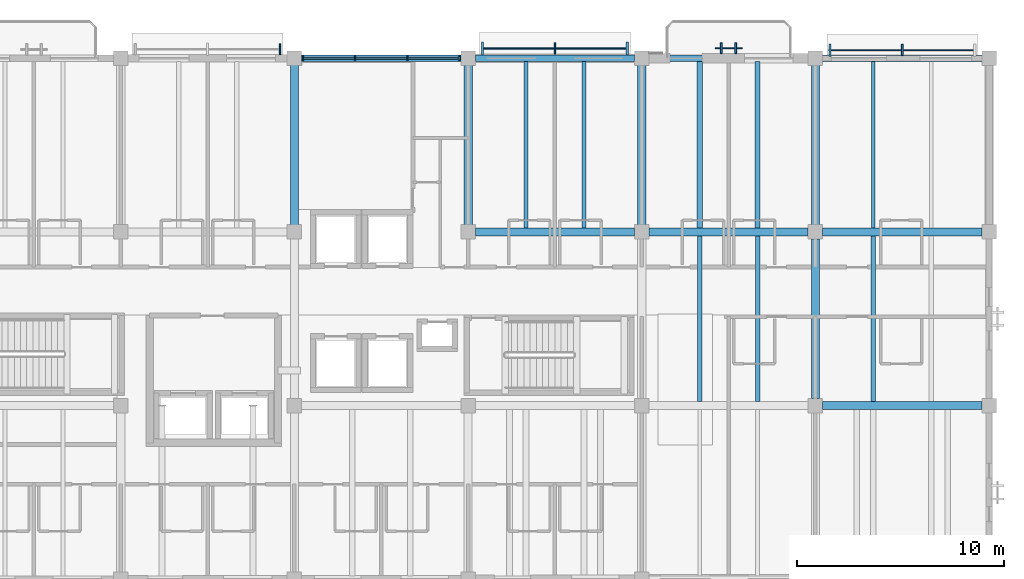
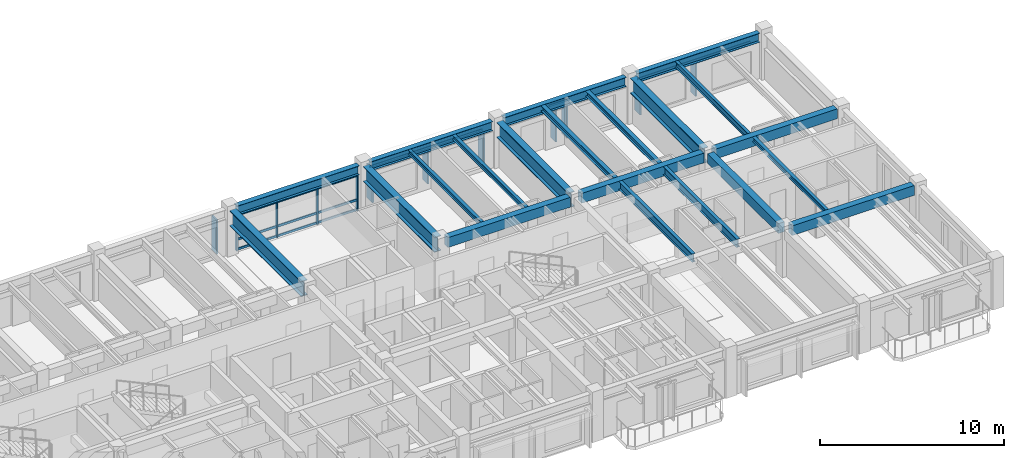
# One storey, part 3 of 18: 24 members, 21 beams, 5 elements without a shape of their own.
"""IFC4 building model written with IfcOpenShell, lengths in metres."""

from ifc_helpers import new_model, si_unit, direction, frame, origin, origin_2d, place, context, subcontext, project, spatial, rectangle, i_section, extrude, material, material_profile, profile_set, type_object, element, aggregate, save


model = new_model("IFC4")

# Units and contexts
model_context = context("Model", 3, precision=1e-05, world=origin(), true_north=direction((0.0, 1.0)))
body_context = subcontext(model_context, "Body", "Model", "MODEL_VIEW")
ifc_project = project(units=[si_unit("LENGTHUNIT", "METRE"), si_unit("AREAUNIT", "SQUARE_METRE"), si_unit("VOLUMEUNIT", "CUBIC_METRE"), si_unit("PLANEANGLEUNIT", "RADIAN"), si_unit("MASSUNIT", "GRAM", prefix="KILO")], contexts=[model_context])

# Site, building, storey
site_placement = place(None, origin())
site = spatial("IfcSite", under=ifc_project, at=site_placement, CompositionType="ELEMENT")
building_placement = place(site_placement, origin())
building = spatial("IfcBuilding", under=site, at=building_placement, Name="Cumbredor Promenade Congress Hotel", CompositionType="ELEMENT")
storey_placement = place(building_placement, frame((0.0, 0.0, 25.199951171875)))
storey = spatial("IfcBuildingStorey", under=building, at=storey_placement, Name="L07", CompositionType="ELEMENT", Elevation=25.199951171875)

# Beams
ifc_material_1 = material(Name="Concrete C40/50", Category="concrete")
ifc_material_profile_1 = material_profile(ifc_material_1, rectangle(XDim=0.39990234375, YDim=0.64990234375, at=origin_2d()), Name="RC BEAM 400x650")
ifc_profile_set_1 = profile_set([ifc_material_profile_1], Name="Concrete C40/50")
beam_type_1 = type_object("IfcBeamType", Name="BM-RC-400x650", PredefinedType="BEAM", material=ifc_profile_set_1)
for number, where, z_axis, x_axis, name in (
    (1, (42.35009765625, 109.199951171875, 2.795166015625), (1.0, 0.0, 0.0), (0.0, 1.0, 0.0), "L08 X-Grid Beam 030"),
    (2, (50.75, 109.199951171875, 2.795166015625), (1.0, 0.0, 0.0), (0.0, 1.0, 0.0), "L08 X-Grid Beam 036"),
):
    element("IfcBeam", number, at=place(storey_placement, frame(where, z_axis=z_axis, x_axis=x_axis)), inside=storey, type_object=beam_type_1, Name=name, PredefinedType="BEAM", context=body_context, shape_type="SweptSolid", body=[
        extrude(rectangle(XDim=0.39990234375, YDim=0.64990234375, at=origin_2d()), origin(), (0.0, 0.0, 1.0), 7.699951171875),
    ])
for number, where, z_axis, x_axis, name in (
    (3, (59.14990234375, 100.800048828125, 2.795166015625), (1.0, 0.0, 0.0), (0.0, 1.0, 0.0), "L08 X-Grid Beam 040"),
    (4, (58.800048828125, 101.14990234375, 2.795166015625), (0.0, 1.0, 0.0), (-1.0, 0.0, 0.0), "L08 Y-Grid Beam 041"),
    (5, (59.14990234375, 109.199951171875, 2.795166015625), (1.0, 0.0, 0.0), (0.0, 1.0, 0.0), "L08 X-Grid Beam 042"),
):
    element("IfcBeam", number, at=place(storey_placement, frame(where, z_axis=z_axis, x_axis=x_axis)), inside=storey, type_object=beam_type_1, Name=name, PredefinedType="BEAM", context=body_context, shape_type="SweptSolid", body=[
        extrude(rectangle(XDim=0.39990234375, YDim=0.64990234375, at=origin_2d()), origin(), (0.0, 0.0, 1.0), 7.7001953125),
    ])
ifc_material_2 = material(Name="Steel ASTM A992 Grade 50", Category="steel")
ifc_material_profile_2 = material_profile(ifc_material_2, i_section(OverallWidth=0.323974609375, OverallDepth=0.611083984375, WebThickness=0.0126953125, FlangeThickness=0.01904296875, at=origin_2d()), Name="W24X104")
ifc_profile_set_2 = profile_set([ifc_material_profile_2], Name="Steel ASTM A992 Grade 50")
beam_type_2 = type_object("IfcBeamType", Name="BM-W24X104", PredefinedType="BEAM", material=ifc_profile_set_2)
for number, where, z_axis, x_axis, name in (
    (6, (33.949951171875, 117.60009765625, 2.734619140625), (1.0, 0.0, 0.0), (0.0, 1.0, 0.0), "L08 X-Grid Beam 026"),
    (7, (42.35009765625, 117.60009765625, 2.734619140625), (1.0, 0.0, 0.0), (0.0, 1.0, 0.0), "L08 X-Grid Beam 031"),
    (8, (50.75, 117.60009765625, 2.734619140625), (1.0, 0.0, 0.0), (0.0, 1.0, 0.0), "L08 X-Grid Beam 037"),
):
    element("IfcBeam", number, at=place(storey_placement, frame(where, z_axis=z_axis, x_axis=x_axis)), inside=storey, type_object=beam_type_2, Name=name, PredefinedType="BEAM", context=body_context, shape_type="SweptSolid", body=[
        extrude(i_section(OverallWidth=0.323974609375, OverallDepth=0.611083984375, WebThickness=0.0126953125, FlangeThickness=0.01904296875, at=origin_2d()), origin(), (0.0, 0.0, 1.0), 7.699951171875),
    ])
beam_1_placement = place(storey_placement, frame((59.14990234375, 117.60009765625, 2.734619140625), z_axis=(1.0, 0.0, 0.0), x_axis=(0.0, 1.0, 0.0)))
element("IfcBeam", 9, at=beam_1_placement, inside=storey, type_object=beam_type_2, Name="L08 X-Grid Beam 043", PredefinedType="BEAM", context=body_context, shape_type="SweptSolid", body=[
    extrude(i_section(OverallWidth=0.323974609375, OverallDepth=0.611083984375, WebThickness=0.0126953125, FlangeThickness=0.01904296875, at=origin_2d()), origin(), (0.0, 0.0, 1.0), 7.7001953125),
])
ifc_material_profile_3 = material_profile(ifc_material_2, i_section(OverallWidth=0.402099609375, OverallDepth=1.011962890625, WebThickness=0.023681640625, FlangeThickness=0.0419921875, at=origin_2d()), Name="W40X297")
ifc_profile_set_3 = profile_set([ifc_material_profile_3], Name="Steel ASTM A992 Grade 50")
beam_type_3 = type_object("IfcBeamType", Name="BM-W40X297", PredefinedType="BEAM", material=ifc_profile_set_3)
for number, where, z_axis, x_axis, name in (
    (10, (33.60009765625, 109.5, 2.533935546875), (0.0, 1.0, 0.0), (-1.0, 0.0, 0.0), "L08 North Setback Transfer Girder TGN-04"),
    (11, (42.0, 109.5, 2.533935546875), (0.0, 1.0, 0.0), (-1.0, 0.0, 0.0), "L08 North Setback Transfer Girder TGN-05"),
    (12, (50.39990234375, 109.5, 2.533935546875), (0.0, 1.0, 0.0), (-1.0, 0.0, 0.0), "L08 North Setback Transfer Girder TGN-06"),
    (13, (58.800048828125, 109.5, 2.533935546875), (0.0, 1.0, 0.0), (-1.0, 0.0, 0.0), "L08 North Setback Transfer Girder TGN-07"),
):
    element("IfcBeam", number, at=place(storey_placement, frame(where, z_axis=z_axis, x_axis=x_axis)), inside=storey, type_object=beam_type_3, Name=name, PredefinedType="BEAM", context=body_context, shape_type="SweptSolid", body=[
        extrude(i_section(OverallWidth=0.402099609375, OverallDepth=1.011962890625, WebThickness=0.023681640625, FlangeThickness=0.0419921875, at=origin_2d()), origin(), (0.0, 0.0, 1.0), 7.800048828125),
    ])

# Curtain wall, members
ifc_material_3 = material(Name="Thermally broken anodized aluminium and low-E glass", Category="aluminium")
curtain_wall_type_1 = type_object("IfcCurtainWallType", Name="Unitised Bronze Curtain Wall CW-01", PredefinedType="NOTDEFINED", material=ifc_material_3)
curtain_wall_1_placement = place(storey_placement, origin())
curtain_wall_1 = element("IfcCurtainWall", 14, at=curtain_wall_1_placement, inside=storey, type_object=curtain_wall_type_1, Name="L07 Stepped Congress Hotel Wing North Curtain Wall 5", PredefinedType="NOTDEFINED")
ifc_material_4 = material(Name="Thermally broken anodized aluminium", Category="aluminium")
ifc_material_profile_4 = material_profile(ifc_material_4, rectangle(XDim=0.074951171875, YDim=0.199951171875, at=origin_2d()), Name="ALU MULLION 75x200")
ifc_profile_set_4 = profile_set([ifc_material_profile_4], Name="Thermally broken anodized aluminium")
member_type_1 = type_object("IfcMemberType", Name="Curtain Wall Mullion ML-02", PredefinedType="MULLION", material=ifc_profile_set_4)
member_1_placement = place(storey_placement, frame((34.0048828125, 117.60009765625, -0.008056640625), z_axis=(0.0, 0.0, 1.0), x_axis=(1.0, 0.0, 0.0)))
member_1 = element("IfcMember", 15, at=member_1_placement, type_object=member_type_1, Name="L07 Stepped Congress Hotel Wing North Curtain Wall 5 Mullion 1", PredefinedType="MULLION", context=body_context, shape_type="SweptSolid", body=[
    extrude(rectangle(XDim=0.074951171875, YDim=0.199951171875, at=origin_2d()), origin(), (0.0, 0.0, 1.0), 2.43017578125),
])
member_2_placement = place(storey_placement, frame((36.534912109375, 117.60009765625, -0.008056640625), z_axis=(0.0, 0.0, 1.0), x_axis=(1.0, 0.0, 0.0)))
member_2 = element("IfcMember", 16, at=member_2_placement, type_object=member_type_1, Name="L07 Stepped Congress Hotel Wing North Curtain Wall 5 Mullion 2", PredefinedType="MULLION", context=body_context, shape_type="SweptSolid", body=[
    extrude(rectangle(XDim=0.074951171875, YDim=0.199951171875, at=origin_2d()), origin(), (0.0, 0.0, 1.0), 2.43017578125),
])
member_3_placement = place(storey_placement, frame((39.06494140625, 117.60009765625, -0.008056640625), z_axis=(0.0, 0.0, 1.0), x_axis=(1.0, 0.0, 0.0)))
member_3 = element("IfcMember", 17, at=member_3_placement, type_object=member_type_1, Name="L07 Stepped Congress Hotel Wing North Curtain Wall 5 Mullion 3", PredefinedType="MULLION", context=body_context, shape_type="SweptSolid", body=[
    extrude(rectangle(XDim=0.074951171875, YDim=0.199951171875, at=origin_2d()), origin(), (0.0, 0.0, 1.0), 2.43017578125),
])
member_4_placement = place(storey_placement, frame((41.594970703125, 117.60009765625, -0.008056640625), z_axis=(0.0, 0.0, 1.0), x_axis=(1.0, 0.0, 0.0)))
member_4 = element("IfcMember", 18, at=member_4_placement, type_object=member_type_1, Name="L07 Stepped Congress Hotel Wing North Curtain Wall 5 Mullion 4", PredefinedType="MULLION", context=body_context, shape_type="SweptSolid", body=[
    extrude(rectangle(XDim=0.074951171875, YDim=0.199951171875, at=origin_2d()), origin(), (0.0, 0.0, 1.0), 2.43017578125),
])

# Curtain wall, member
curtain_wall_type_2 = type_object("IfcCurtainWallType", Name="Solar Brise-Soleil Screen Assembly CW-07", PredefinedType="NOTDEFINED", material=ifc_material_3)
curtain_wall_2_placement = place(storey_placement, origin())
curtain_wall_2 = element("IfcCurtainWall", 19, at=curtain_wall_2_placement, inside=storey, type_object=curtain_wall_type_2, Name="L07 Hospitality Brise-Soleil Screen 101", PredefinedType="NOTDEFINED")
ifc_material_profile_5 = material_profile(ifc_material_4, rectangle(XDim=0.06494140625, YDim=0.1298828125, at=origin_2d()), Name="ALU TRANSOM 65x130")
ifc_profile_set_5 = profile_set([ifc_material_profile_5], Name="Thermally broken anodized aluminium")
member_type_2 = type_object("IfcMemberType", Name="Curtain Wall Transom TR-01", PredefinedType="USERDEFINED", material=ifc_profile_set_5)
member_5_placement = place(storey_placement, frame((42.65087890625, 118.072509765625, 2.234130859375), z_axis=(1.0, 0.0, 0.0), x_axis=(0.0, 1.0, 0.0)))
member_5 = element("IfcMember", 20, at=member_5_placement, type_object=member_type_2, Name="L07 Brise-Soleil Screen Transom 101", ObjectType="TRANSOM", PredefinedType="USERDEFINED", context=body_context, shape_type="SweptSolid", body=[
    extrude(rectangle(XDim=0.06494140625, YDim=0.1298828125, at=origin_2d()), origin(), (0.0, 0.0, 1.0), 7.09814453125),
])

curtain_wall_3_placement = place(storey_placement, origin())
curtain_wall_3 = element("IfcCurtainWall", 21, at=curtain_wall_3_placement, inside=storey, type_object=curtain_wall_type_2, Name="L07 Veranda Solar Brise-Soleil Screen 1021", PredefinedType="NOTDEFINED")
member_6_placement = place(storey_placement, frame((53.949951171875, 118.0849609375, 2.333984375), z_axis=(1.0, 0.0, 0.0), x_axis=(0.0, 1.0, 0.0)))
member_6 = element("IfcMember", 22, at=member_6_placement, type_object=member_type_2, Name="L07 Brise-Soleil Header Tie 1023", ObjectType="TRANSOM", PredefinedType="USERDEFINED", context=body_context, shape_type="SweptSolid", body=[
    extrude(rectangle(XDim=0.06494140625, YDim=0.1298828125, at=origin_2d()), origin(), (0.0, 0.0, 1.0), 1.300048828125),
])

curtain_wall_4_placement = place(storey_placement, origin())
curtain_wall_4 = element("IfcCurtainWall", 23, at=curtain_wall_4_placement, inside=storey, type_object=curtain_wall_type_2, Name="L07 Hospitality Brise-Soleil Screen 102", PredefinedType="NOTDEFINED")
member_7_placement = place(storey_placement, frame((59.450927734375, 117.989990234375, 2.234130859375), z_axis=(1.0, 0.0, 0.0), x_axis=(0.0, 1.0, 0.0)))
member_7 = element("IfcMember", 24, at=member_7_placement, type_object=member_type_2, Name="L07 Brise-Soleil Screen Transom 102", ObjectType="TRANSOM", PredefinedType="USERDEFINED", context=body_context, shape_type="SweptSolid", body=[
    extrude(rectangle(XDim=0.06494140625, YDim=0.1298828125, at=origin_2d()), origin(), (0.0, 0.0, 1.0), 7.09814453125),
])

# Member
ifc_material_profile_6 = material_profile(ifc_material_4, rectangle(XDim=0.074951171875, YDim=0.14990234375, at=origin_2d()), Name="ALU TRANSOM 75x150")
ifc_profile_set_6 = profile_set([ifc_material_profile_6], Name="Thermally broken anodized aluminium")
member_type_3 = type_object("IfcMemberType", Name="Curtain Wall Transom TR-02", PredefinedType="USERDEFINED", material=ifc_profile_set_6)
member_8_placement = place(storey_placement, frame((34.04248046875, 117.60009765625, 0.070068359375), z_axis=(1.0, 0.0, 0.0), x_axis=(0.0, 1.0, 0.0)))
member_8 = element("IfcMember", 25, at=member_8_placement, type_object=member_type_3, Name="L07 Stepped Congress Hotel Wing North Curtain Wall 5 Transom 1.1", ObjectType="TRANSOM", PredefinedType="USERDEFINED", context=body_context, shape_type="SweptSolid", body=[
    extrude(rectangle(XDim=0.074951171875, YDim=0.14990234375, at=origin_2d()), origin(), (0.0, 0.0, 1.0), 2.455078125),
])

member_9_placement = place(storey_placement, frame((34.04248046875, 117.60009765625, 0.719970703125), z_axis=(1.0, 0.0, 0.0), x_axis=(0.0, 1.0, 0.0)))
member_9 = element("IfcMember", 26, at=member_9_placement, type_object=member_type_3, Name="L07 Stepped Congress Hotel Wing North Curtain Wall 5 Transom 1.2", ObjectType="TRANSOM", PredefinedType="USERDEFINED", context=body_context, shape_type="SweptSolid", body=[
    extrude(rectangle(XDim=0.074951171875, YDim=0.14990234375, at=origin_2d()), origin(), (0.0, 0.0, 1.0), 2.455078125),
])

member_10_placement = place(storey_placement, frame((34.04248046875, 117.60009765625, 2.340087890625), z_axis=(1.0, 0.0, 0.0), x_axis=(0.0, 1.0, 0.0)))
member_10 = element("IfcMember", 27, at=member_10_placement, type_object=member_type_3, Name="L07 Stepped Congress Hotel Wing North Curtain Wall 5 Transom 1.3", ObjectType="TRANSOM", PredefinedType="USERDEFINED", context=body_context, shape_type="SweptSolid", body=[
    extrude(rectangle(XDim=0.074951171875, YDim=0.14990234375, at=origin_2d()), origin(), (0.0, 0.0, 1.0), 2.455078125),
])

member_11_placement = place(storey_placement, frame((36.572509765625, 117.60009765625, 0.070068359375), z_axis=(1.0, 0.0, 0.0), x_axis=(0.0, 1.0, 0.0)))
member_11 = element("IfcMember", 28, at=member_11_placement, type_object=member_type_3, Name="L07 Stepped Congress Hotel Wing North Curtain Wall 5 Transom 2.1", ObjectType="TRANSOM", PredefinedType="USERDEFINED", context=body_context, shape_type="SweptSolid", body=[
    extrude(rectangle(XDim=0.074951171875, YDim=0.14990234375, at=origin_2d()), origin(), (0.0, 0.0, 1.0), 2.455078125),
])

member_12_placement = place(storey_placement, frame((36.572509765625, 117.60009765625, 0.719970703125), z_axis=(1.0, 0.0, 0.0), x_axis=(0.0, 1.0, 0.0)))
member_12 = element("IfcMember", 29, at=member_12_placement, type_object=member_type_3, Name="L07 Stepped Congress Hotel Wing North Curtain Wall 5 Transom 2.2", ObjectType="TRANSOM", PredefinedType="USERDEFINED", context=body_context, shape_type="SweptSolid", body=[
    extrude(rectangle(XDim=0.074951171875, YDim=0.14990234375, at=origin_2d()), origin(), (0.0, 0.0, 1.0), 2.455078125),
])

member_13_placement = place(storey_placement, frame((36.572509765625, 117.60009765625, 2.340087890625), z_axis=(1.0, 0.0, 0.0), x_axis=(0.0, 1.0, 0.0)))
member_13 = element("IfcMember", 30, at=member_13_placement, type_object=member_type_3, Name="L07 Stepped Congress Hotel Wing North Curtain Wall 5 Transom 2.3", ObjectType="TRANSOM", PredefinedType="USERDEFINED", context=body_context, shape_type="SweptSolid", body=[
    extrude(rectangle(XDim=0.074951171875, YDim=0.14990234375, at=origin_2d()), origin(), (0.0, 0.0, 1.0), 2.455078125),
])

member_14_placement = place(storey_placement, frame((39.1025390625, 117.60009765625, 0.070068359375), z_axis=(1.0, 0.0, 0.0), x_axis=(0.0, 1.0, 0.0)))
member_14 = element("IfcMember", 31, at=member_14_placement, type_object=member_type_3, Name="L07 Stepped Congress Hotel Wing North Curtain Wall 5 Transom 3.1", ObjectType="TRANSOM", PredefinedType="USERDEFINED", context=body_context, shape_type="SweptSolid", body=[
    extrude(rectangle(XDim=0.074951171875, YDim=0.14990234375, at=origin_2d()), origin(), (0.0, 0.0, 1.0), 2.455078125),
])

member_15_placement = place(storey_placement, frame((39.1025390625, 117.60009765625, 0.719970703125), z_axis=(1.0, 0.0, 0.0), x_axis=(0.0, 1.0, 0.0)))
member_15 = element("IfcMember", 32, at=member_15_placement, type_object=member_type_3, Name="L07 Stepped Congress Hotel Wing North Curtain Wall 5 Transom 3.2", ObjectType="TRANSOM", PredefinedType="USERDEFINED", context=body_context, shape_type="SweptSolid", body=[
    extrude(rectangle(XDim=0.074951171875, YDim=0.14990234375, at=origin_2d()), origin(), (0.0, 0.0, 1.0), 2.455078125),
])

member_16_placement = place(storey_placement, frame((39.1025390625, 117.60009765625, 2.340087890625), z_axis=(1.0, 0.0, 0.0), x_axis=(0.0, 1.0, 0.0)))
member_16 = element("IfcMember", 33, at=member_16_placement, type_object=member_type_3, Name="L07 Stepped Congress Hotel Wing North Curtain Wall 5 Transom 3.3", ObjectType="TRANSOM", PredefinedType="USERDEFINED", context=body_context, shape_type="SweptSolid", body=[
    extrude(rectangle(XDim=0.074951171875, YDim=0.14990234375, at=origin_2d()), origin(), (0.0, 0.0, 1.0), 2.455078125),
])

aggregate(curtain_wall_1, [member_1, member_2, member_3, member_4, member_8, member_9, member_10, member_11, member_12, member_13, member_14, member_15, member_16])

# Beams
ifc_material_profile_7 = material_profile(ifc_material_2, i_section(OverallWidth=0.202880859375, OverallDepth=0.302978515625, WebThickness=0.007568359375, FlangeThickness=0.01318359375, at=origin_2d()), Name="W12X40")
ifc_profile_set_7 = profile_set([ifc_material_profile_7], Name="Steel ASTM A992 Grade 50")
beam_type_4 = type_object("IfcBeamType", Name="JST-W12X40", PredefinedType="JOIST", material=ifc_profile_set_7)
for number, where, z_axis, x_axis, name in (
    (34, (44.800048828125, 109.39990234375, 2.888427734375), (0.0, 1.0, 0.0), (-1.0, 0.0, 0.0), "L08 Secondary Floor Joist 0021"),
    (35, (47.60009765625, 109.39990234375, 2.888427734375), (0.0, 1.0, 0.0), (-1.0, 0.0, 0.0), "L08 Secondary Floor Joist 0022"),
):
    element("IfcBeam", number, at=place(storey_placement, frame(where, z_axis=z_axis, x_axis=x_axis)), inside=storey, type_object=beam_type_4, Name=name, PredefinedType="JOIST", context=body_context, shape_type="SweptSolid", body=[
        extrude(i_section(OverallWidth=0.202880859375, OverallDepth=0.302978515625, WebThickness=0.007568359375, FlangeThickness=0.01318359375, at=origin_2d()), origin(), (0.0, 0.0, 1.0), 8.0380859375),
    ])
beam_2_placement = place(storey_placement, frame((61.60009765625, 101.0, 2.968505859375), z_axis=(0.0, 1.0, 0.0), x_axis=(-1.0, 0.0, 0.0)))
element("IfcBeam", 36, at=beam_2_placement, inside=storey, type_object=beam_type_4, Name="L08 Secondary Floor Joist 0031", PredefinedType="JOIST", context=body_context, shape_type="SweptSolid", body=[
    extrude(i_section(OverallWidth=0.202880859375, OverallDepth=0.302978515625, WebThickness=0.007568359375, FlangeThickness=0.01318359375, at=origin_2d()), origin(), (0.0, 0.0, 1.0), 8.0),
])
ifc_material_profile_8 = material_profile(ifc_material_2, i_section(OverallWidth=0.2548828125, OverallDepth=0.35693359375, WebThickness=0.010498046875, FlangeThickness=0.018310546875, at=origin_2d()), Name="W14X68")
ifc_profile_set_8 = profile_set([ifc_material_profile_8], Name="Steel ASTM A992 Grade 50")
beam_type_5 = type_object("IfcBeamType", Name="JST-W14X68", PredefinedType="JOIST", material=ifc_profile_set_8)
for number, where, z_axis, x_axis, name in (
    (37, (53.199951171875, 109.39990234375, 2.861572265625), (0.0, 1.0, 0.0), (-1.0, 0.0, 0.0), "L08 Secondary Floor Joist 0027"),
    (38, (56.0, 109.39990234375, 2.861572265625), (0.0, 1.0, 0.0), (-1.0, 0.0, 0.0), "L08 Secondary Floor Joist 0028"),
):
    element("IfcBeam", number, at=place(storey_placement, frame(where, z_axis=z_axis, x_axis=x_axis)), inside=storey, type_object=beam_type_5, Name=name, PredefinedType="JOIST", context=body_context, shape_type="SweptSolid", body=[
        extrude(i_section(OverallWidth=0.2548828125, OverallDepth=0.35693359375, WebThickness=0.010498046875, FlangeThickness=0.018310546875, at=origin_2d()), origin(), (0.0, 0.0, 1.0), 8.0380859375),
    ])
ifc_material_profile_9 = material_profile(ifc_material_2, i_section(OverallWidth=0.180908203125, OverallDepth=0.4169921875, WebThickness=0.010986328125, FlangeThickness=0.018310546875, at=origin_2d()), Name="W16X57")
ifc_profile_set_9 = profile_set([ifc_material_profile_9], Name="Steel ASTM A992 Grade 50")
beam_type_6 = type_object("IfcBeamType", Name="JST-W16X57", PredefinedType="JOIST", material=ifc_profile_set_9)
beam_3_placement = place(storey_placement, frame((61.60009765625, 109.39990234375, 2.83154296875), z_axis=(0.0, 1.0, 0.0), x_axis=(-1.0, 0.0, 0.0)))
element("IfcBeam", 39, at=beam_3_placement, inside=storey, type_object=beam_type_6, Name="L08 Secondary Floor Joist 0033", PredefinedType="JOIST", context=body_context, shape_type="SweptSolid", body=[
    extrude(i_section(OverallWidth=0.180908203125, OverallDepth=0.4169921875, WebThickness=0.010986328125, FlangeThickness=0.018310546875, at=origin_2d()), origin(), (0.0, 0.0, 1.0), 8.0380859375),
])
ifc_material_profile_10 = material_profile(ifc_material_2, i_section(OverallWidth=0.214111328125, OverallDepth=0.549072265625, WebThickness=0.0146484375, FlangeThickness=0.023681640625, at=origin_2d()), Name="W21X93")
ifc_profile_set_10 = profile_set([ifc_material_profile_10], Name="Steel ASTM A992 Grade 50")
beam_type_7 = type_object("IfcBeamType", Name="JST-W21X93", PredefinedType="JOIST", material=ifc_profile_set_10)
for number, where, z_axis, x_axis, name in (
    (40, (53.199951171875, 101.0, 2.845458984375), (0.0, 1.0, 0.0), (-1.0, 0.0, 0.0), "L08 Secondary Floor Joist 0025"),
    (41, (56.0, 101.0, 2.845458984375), (0.0, 1.0, 0.0), (-1.0, 0.0, 0.0), "L08 Secondary Floor Joist 0026"),
):
    element("IfcBeam", number, at=place(storey_placement, frame(where, z_axis=z_axis, x_axis=x_axis)), inside=storey, type_object=beam_type_7, Name=name, PredefinedType="JOIST", context=body_context, shape_type="SweptSolid", body=[
        extrude(i_section(OverallWidth=0.214111328125, OverallDepth=0.549072265625, WebThickness=0.0146484375, FlangeThickness=0.023681640625, at=origin_2d()), origin(), (0.0, 0.0, 1.0), 8.0),
    ])

# Member
ifc_material_profile_11 = material_profile(ifc_material_4, rectangle(XDim=0.110107421875, YDim=0.6201171875, at=origin_2d()), Name="ARCH FIN 110x620")
ifc_profile_set_11 = profile_set([ifc_material_profile_11], Name="Thermally broken anodized aluminium")
member_type_4 = type_object("IfcMemberType", Name="Vertical Bronze Brise-Soleil Fin BSF-02 110x620", PredefinedType="USERDEFINED", material=ifc_profile_set_11)
member_17_placement = place(storey_placement, frame((42.700927734375, 118.072509765625, 0.02001953125), z_axis=(0.0, 0.0, 1.0), x_axis=(1.0, 0.0, 0.0)))
member_17 = element("IfcMember", 42, at=member_17_placement, type_object=member_type_4, Name="L07 Vertical Brise-Soleil Fin 1018", ObjectType="SOLAR FIN", PredefinedType="USERDEFINED", context=body_context, shape_type="SweptSolid", body=[
    extrude(rectangle(XDim=0.110107421875, YDim=0.6201171875, at=origin_2d()), origin(), (0.0, 0.0, 1.0), 2.27392578125),
])

member_18_placement = place(storey_placement, frame((49.698974609375, 118.072509765625, 0.02001953125), z_axis=(0.0, 0.0, 1.0), x_axis=(1.0, 0.0, 0.0)))
member_18 = element("IfcMember", 43, at=member_18_placement, type_object=member_type_4, Name="L07 Vertical Brise-Soleil Fin 1020", ObjectType="SOLAR FIN", PredefinedType="USERDEFINED", context=body_context, shape_type="SweptSolid", body=[
    extrude(rectangle(XDim=0.110107421875, YDim=0.6201171875, at=origin_2d()), origin(), (0.0, 0.0, 1.0), 2.27392578125),
])

member_19_placement = place(storey_placement, frame((59.5009765625, 117.989990234375, 0.02001953125), z_axis=(0.0, 0.0, 1.0), x_axis=(1.0, 0.0, 0.0)))
member_19 = element("IfcMember", 44, at=member_19_placement, type_object=member_type_4, Name="L07 Vertical Brise-Soleil Fin 1024", ObjectType="SOLAR FIN", PredefinedType="USERDEFINED", context=body_context, shape_type="SweptSolid", body=[
    extrude(rectangle(XDim=0.110107421875, YDim=0.6201171875, at=origin_2d()), origin(), (0.0, 0.0, 1.0), 2.27392578125),
])

# Curtain wall, member
curtain_wall_5_placement = place(storey_placement, origin())
curtain_wall_5 = element("IfcCurtainWall", 45, at=curtain_wall_5_placement, inside=storey, type_object=curtain_wall_type_2, Name="L07 Hospitality Brise-Soleil Screen 100", PredefinedType="NOTDEFINED")
ifc_material_5 = material(Name="Kiln-dried tropical hardwood", Category="wood")
ifc_material_profile_12 = material_profile(ifc_material_5, rectangle(XDim=0.090087890625, YDim=0.550048828125, at=origin_2d()), Name="ARCH FIN 90x550")
ifc_profile_set_12 = profile_set([ifc_material_profile_12], Name="Kiln-dried tropical hardwood")
member_type_5 = type_object("IfcMemberType", Name="Vertical Hardwood Brise-Soleil Fin BSF-01 90x550", PredefinedType="USERDEFINED", material=ifc_profile_set_12)
member_20_placement = place(storey_placement, frame((32.89892578125, 118.034912109375, 0.02001953125), z_axis=(0.0, 0.0, 1.0), x_axis=(1.0, 0.0, 0.0)))
member_20 = element("IfcMember", 46, at=member_20_placement, type_object=member_type_5, Name="L07 Vertical Brise-Soleil Fin 1017", ObjectType="SOLAR FIN", PredefinedType="USERDEFINED", context=body_context, shape_type="SweptSolid", body=[
    extrude(rectangle(XDim=0.090087890625, YDim=0.550048828125, at=origin_2d()), origin(), (0.0, 0.0, 1.0), 2.27392578125),
])
aggregate(curtain_wall_5, [member_20])

# Member
member_21_placement = place(storey_placement, frame((46.199951171875, 118.072509765625, 0.02001953125), z_axis=(0.0, 0.0, 1.0), x_axis=(1.0, 0.0, 0.0)))
member_21 = element("IfcMember", 47, at=member_21_placement, type_object=member_type_5, Name="L07 Vertical Brise-Soleil Fin 1019", ObjectType="SOLAR FIN", PredefinedType="USERDEFINED", context=body_context, shape_type="SweptSolid", body=[
    extrude(rectangle(XDim=0.090087890625, YDim=0.550048828125, at=origin_2d()), origin(), (0.0, 0.0, 1.0), 2.27392578125),
])

aggregate(curtain_wall_2, [member_5, member_17, member_21, member_18])

member_22_placement = place(storey_placement, frame((54.25, 118.0849609375, -0.010009765625), z_axis=(0.0, 0.0, 1.0), x_axis=(1.0, 0.0, 0.0)))
member_22 = element("IfcMember", 48, at=member_22_placement, type_object=member_type_5, Name="L07 Vertical Hardwood Brise-Soleil Fin 1022", ObjectType="SOLAR FIN", PredefinedType="USERDEFINED", context=body_context, shape_type="SweptSolid", body=[
    extrude(rectangle(XDim=0.090087890625, YDim=0.550048828125, at=origin_2d()), origin(), (0.0, 0.0, 1.0), 2.404052734375),
])

member_23_placement = place(storey_placement, frame((54.949951171875, 118.0849609375, -0.010009765625), z_axis=(0.0, 0.0, 1.0), x_axis=(1.0, 0.0, 0.0)))
member_23 = element("IfcMember", 49, at=member_23_placement, type_object=member_type_5, Name="L07 Vertical Hardwood Brise-Soleil Fin 1023", ObjectType="SOLAR FIN", PredefinedType="USERDEFINED", context=body_context, shape_type="SweptSolid", body=[
    extrude(rectangle(XDim=0.090087890625, YDim=0.550048828125, at=origin_2d()), origin(), (0.0, 0.0, 1.0), 2.404052734375),
])

aggregate(curtain_wall_3, [member_22, member_23, member_6])

member_24_placement = place(storey_placement, frame((63.0, 117.989990234375, 0.02001953125), z_axis=(0.0, 0.0, 1.0), x_axis=(1.0, 0.0, 0.0)))
member_24 = element("IfcMember", 50, at=member_24_placement, type_object=member_type_5, Name="L07 Vertical Brise-Soleil Fin 1025", ObjectType="SOLAR FIN", PredefinedType="USERDEFINED", context=body_context, shape_type="SweptSolid", body=[
    extrude(rectangle(XDim=0.090087890625, YDim=0.550048828125, at=origin_2d()), origin(), (0.0, 0.0, 1.0), 2.27392578125),
])

aggregate(curtain_wall_4, [member_7, member_19, member_24])

save(model, "model.ifc")
